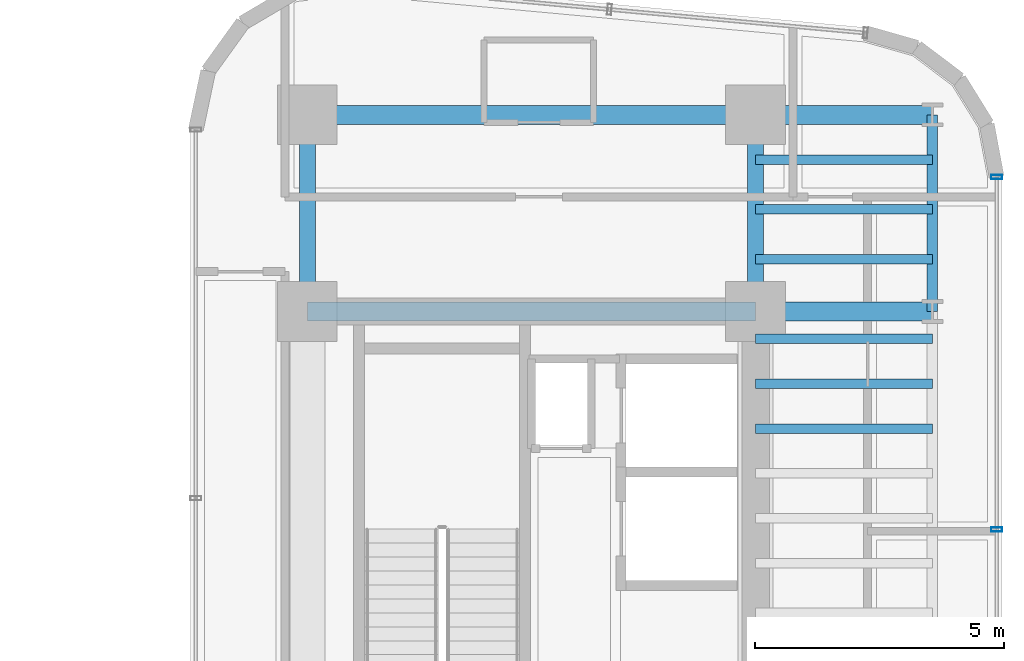
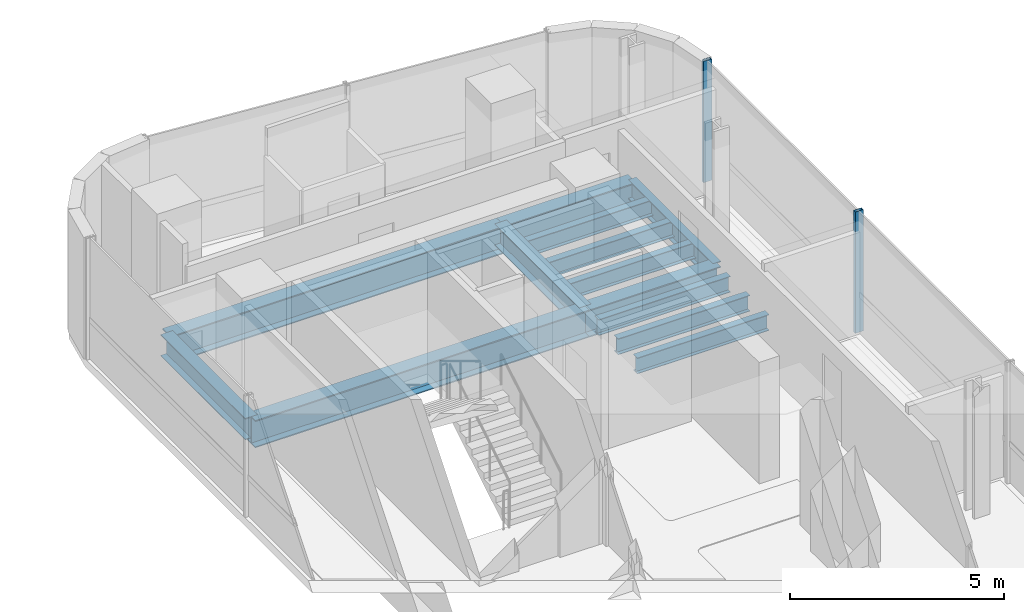
# One storey, part 17 of 33: 13 beams, 2 members, 1 element without a shape of its own.
"""IFC4 building model written with IfcOpenShell, lengths in metres."""

from ifc_helpers import new_model, si_unit, direction, frame, origin, origin_2d, place, context, subcontext, project, spatial, hollow_rectangle, i_section, extrude, source, transform, mapped, material, material_profile, profile_set, type_object, element, aggregate, save


model = new_model("IFC4")

# Units and contexts
model_context = context("Model", 3, precision=1e-05, world=origin(), true_north=direction((0.0, 1.0)))
body_context = subcontext(model_context, "Body", "Model", "MODEL_VIEW")
ifc_project = project(units=[si_unit("LENGTHUNIT", "METRE"), si_unit("AREAUNIT", "SQUARE_METRE"), si_unit("VOLUMEUNIT", "CUBIC_METRE"), si_unit("PLANEANGLEUNIT", "RADIAN"), si_unit("MASSUNIT", "GRAM", prefix="KILO")], contexts=[model_context])

# Site, building, storey
site_placement = place(None, origin())
site = spatial("IfcSite", under=ifc_project, at=site_placement, CompositionType="ELEMENT")
building_placement = place(site_placement, origin())
building = spatial("IfcBuilding", under=site, at=building_placement, Name="Valdorenza Pilgrim Sanctuary Tower", CompositionType="ELEMENT")
storey_placement = place(building_placement, frame((0.0, 0.0, 157.5)))
storey = spatial("IfcBuildingStorey", under=building, at=storey_placement, Name="L40", CompositionType="ELEMENT", Elevation=157.5)

# Beams
ifc_material_1 = material(Name="Steel ASTM A992 Grade 50", Category="steel")
ifc_material_profile_1 = material_profile(ifc_material_1, i_section(OverallWidth=0.323974609375, OverallDepth=0.611083984375, WebThickness=0.0126953125, FlangeThickness=0.01904296875, at=origin_2d()), Name="W24X104")
ifc_profile_set_1 = profile_set([ifc_material_profile_1], Name="Steel ASTM A992 Grade 50")
beam_type_1 = type_object("IfcBeamType", Name="STR-BM-GRD-W24B", PredefinedType="BEAM", material=ifc_profile_set_1)
shared_shape_1 = source(origin(), body_context, "Body", "SweptSolid", [
    extrude(i_section(OverallWidth=0.323974609375, OverallDepth=0.611083984375, WebThickness=0.0126953125, FlangeThickness=0.01904296875, at=origin_2d()), origin(), (0.0, 0.0, 1.0), 3.949951171875),
])
for number, where, z_axis, x_axis, name in (
    (1, (15.85009765625, 9.550048828125, -0.54541015625), (0.0, 1.0, 0.0), (-1.0, 0.0, 0.0), "L40 Core Tie Girder CB-W-N1N2"),
    (2, (24.85009765625, 9.550048828125, -0.54541015625), (0.0, 1.0, 0.0), (-1.0, 0.0, 0.0), "L40 Core Tie Girder CB-E-N1N2"),
):
    element("IfcBeam", number, at=place(storey_placement, frame(where, z_axis=z_axis, x_axis=x_axis)), inside=storey, type_object=beam_type_1, Name=name, PredefinedType="BEAM", context=body_context, shape_type="MappedRepresentation", body=[
        mapped(shared_shape_1, transform((0.0, 0.0, 0.0), x_axis=(1.0, 0.0, 0.0), y_axis=(0.0, 1.0, 0.0), z_axis=(0.0, 0.0, 1.0), scale=1.0)),
    ])
ifc_material_profile_2 = material_profile(ifc_material_1, i_section(OverallWidth=0.214111328125, OverallDepth=0.549072265625, WebThickness=0.0146484375, FlangeThickness=0.023681640625, at=origin_2d()), Name="W21X93")
ifc_profile_set_2 = profile_set([ifc_material_profile_2], Name="Steel ASTM A992 Grade 50")
beam_type_2 = type_object("IfcBeamType", Name="STR-BM-SPN-W21A", PredefinedType="SPANDREL", material=ifc_profile_set_2)
shared_shape_2 = source(origin(), body_context, "Body", "SweptSolid", [
    extrude(i_section(OverallWidth=0.214111328125, OverallDepth=0.549072265625, WebThickness=0.0146484375, FlangeThickness=0.023681640625, at=origin_2d()), origin(), (0.0, 0.0, 1.0), 3.949951171875),
])
beam_placement = place(storey_placement, frame((28.39990234375, 9.550048828125, -0.514404296875), z_axis=(0.0, 1.0, 0.0), x_axis=(-1.0, 0.0, 0.0)))
element("IfcBeam", 3, at=beam_placement, inside=storey, type_object=beam_type_2, Name="L40 Spandrel Beam WB-E-N1N2", PredefinedType="SPANDREL", context=body_context, shape_type="MappedRepresentation", body=[
    mapped(shared_shape_2, transform((0.0, 0.0, 0.0), x_axis=(1.0, 0.0, 0.0), y_axis=(0.0, 1.0, 0.0), z_axis=(0.0, 0.0, 1.0), scale=1.0)),
])
ifc_material_profile_3 = material_profile(ifc_material_1, i_section(OverallWidth=0.382080078125, OverallDepth=0.779052734375, WebThickness=0.01806640625, FlangeThickness=0.030029296875, at=origin_2d()), Name="W30X191")
ifc_profile_set_3 = profile_set([ifc_material_profile_3], Name="Steel ASTM A992 Grade 50")
beam_type_3 = type_object("IfcBeamType", Name="STR-BM-GRD-W30", PredefinedType="BEAM", material=ifc_profile_set_3)
shared_shape_3 = source(origin(), body_context, "Body", "SweptSolid", [
    extrude(i_section(OverallWidth=0.382080078125, OverallDepth=0.779052734375, WebThickness=0.01806640625, FlangeThickness=0.030029296875, at=origin_2d()), origin(), (0.0, 0.0, 1.0), 9.0),
])
for number, where, z_axis, x_axis, name in (
    (4, (15.85009765625, 9.550048828125, -0.62939453125), (1.0, 0.0, 0.0), (0.0, 1.0, 0.0), "L40 Floor Girder CB-XC-N1"),
    (5, (15.85009765625, 13.5, -0.62939453125), (1.0, 0.0, 0.0), (0.0, 1.0, 0.0), "L40 Floor Girder CB-XC-N2"),
):
    element("IfcBeam", number, at=place(storey_placement, frame(where, z_axis=z_axis, x_axis=x_axis)), inside=storey, type_object=beam_type_3, Name=name, PredefinedType="BEAM", context=body_context, shape_type="MappedRepresentation", body=[
        mapped(shared_shape_3, transform((0.0, 0.0, 0.0), x_axis=(1.0, 0.0, 0.0), y_axis=(0.0, 1.0, 0.0), z_axis=(0.0, 0.0, 1.0), scale=1.0)),
    ])
shared_shape_4 = source(origin(), body_context, "Body", "SweptSolid", [
    extrude(i_section(OverallWidth=0.382080078125, OverallDepth=0.779052734375, WebThickness=0.01806640625, FlangeThickness=0.030029296875, at=origin_2d()), origin(), (0.0, 0.0, 1.0), 3.5498046875),
])
for number, where, z_axis, x_axis, name in (
    (6, (24.85009765625, 9.550048828125, -0.62939453125), (1.0, 0.0, 0.0), (0.0, 1.0, 0.0), "L40 Floor Girder WB-XE-N1"),
    (7, (24.85009765625, 13.5, -0.62939453125), (1.0, 0.0, 0.0), (0.0, 1.0, 0.0), "L40 Floor Girder WB-XE-N2"),
):
    element("IfcBeam", number, at=place(storey_placement, frame(where, z_axis=z_axis, x_axis=x_axis)), inside=storey, type_object=beam_type_3, Name=name, PredefinedType="BEAM", context=body_context, shape_type="MappedRepresentation", body=[
        mapped(shared_shape_4, transform((0.0, 0.0, 0.0), x_axis=(1.0, 0.0, 0.0), y_axis=(0.0, 1.0, 0.0), z_axis=(0.0, 0.0, 1.0), scale=1.0)),
    ])
ifc_material_profile_4 = material_profile(ifc_material_1, i_section(OverallWidth=0.19091796875, OverallDepth=0.45703125, WebThickness=0.009033203125, FlangeThickness=0.014404296875, at=origin_2d()), Name="W18X50")
ifc_profile_set_4 = profile_set([ifc_material_profile_4], Name="Steel ASTM A992 Grade 50")
beam_type_4 = type_object("IfcBeamType", Name="STR-BM-JST-W18B", PredefinedType="JOIST", material=ifc_profile_set_4)
shared_shape_5 = source(origin(), body_context, "Body", "SweptSolid", [
    extrude(i_section(OverallWidth=0.19091796875, OverallDepth=0.45703125, WebThickness=0.009033203125, FlangeThickness=0.014404296875, at=origin_2d()), origin(), (0.0, 0.0, 1.0), 3.5498046875),
])
for number, where, z_axis, x_axis, name in (
    (8, (24.85009765625, 7.199951171875, -0.468505859375), (1.0, 0.0, 0.0), (0.0, 1.0, 0.0), "L40 Composite Floor Joist JST-WB-16"),
    (9, (24.85009765625, 8.10009765625, -0.468505859375), (1.0, 0.0, 0.0), (0.0, 1.0, 0.0), "L40 Composite Floor Joist JST-WB-17"),
    (10, (24.85009765625, 9.0, -0.468505859375), (1.0, 0.0, 0.0), (0.0, 1.0, 0.0), "L40 Composite Floor Joist JST-WB-18"),
    (11, (24.85009765625, 10.60009765625, -0.468505859375), (1.0, 0.0, 0.0), (0.0, 1.0, 0.0), "L40 Composite Floor Joist JST-WB-19"),
    (12, (24.85009765625, 11.60009765625, -0.468505859375), (1.0, 0.0, 0.0), (0.0, 1.0, 0.0), "L40 Composite Floor Joist JST-WB-20"),
    (13, (24.85009765625, 12.60009765625, -0.468505859375), (1.0, 0.0, 0.0), (0.0, 1.0, 0.0), "L40 Composite Floor Joist JST-WB-21"),
):
    element("IfcBeam", number, at=place(storey_placement, frame(where, z_axis=z_axis, x_axis=x_axis)), inside=storey, type_object=beam_type_4, Name=name, PredefinedType="JOIST", context=body_context, shape_type="MappedRepresentation", body=[
        mapped(shared_shape_5, transform((0.0, 0.0, 0.0), x_axis=(1.0, 0.0, 0.0), y_axis=(0.0, 1.0, 0.0), z_axis=(0.0, 0.0, 1.0), scale=1.0)),
    ])

# Curtain wall, members
ifc_material_2 = material(Name="Curtain-wall IGU glazing", Category="glass")
curtain_wall_type = type_object("IfcCurtainWallType", Name="CW-SYS-03", PredefinedType="NOTDEFINED", material=ifc_material_2)
curtain_wall_placement = place(storey_placement, origin())
curtain_wall = element("IfcCurtainWall", 14, at=curtain_wall_placement, inside=storey, type_object=curtain_wall_type, Name="L40 Curtain Wall CW-L40-2-11", PredefinedType="NOTDEFINED")
ifc_material_3 = material(Name="Anodised aluminium AW-6060", Category="aluminium")
ifc_material_profile_5 = material_profile(ifc_material_3, hollow_rectangle(XDim=0.0849609375, YDim=0.219970703125, WallThickness=0.0048828125, at=origin_2d()), Name="ALU-M 220x85x5")
ifc_profile_set_5 = profile_set([ifc_material_profile_5], Name="Anodised aluminium AW-6060")
member_type = type_object("IfcMemberType", Name="CW-MUL-03", PredefinedType="MULLION", material=ifc_profile_set_5)
shared_shape_6 = source(origin(), body_context, "Body", "SweptSolid", [
    extrude(hollow_rectangle(XDim=0.0849609375, YDim=0.219970703125, WallThickness=0.0048828125, at=origin_2d()), origin(), (0.0, 0.0, 1.0), 3.4599609375),
])
member_1_placement = place(storey_placement, frame((29.68994140625, 12.253173828125, 0.0), z_axis=(0.0, 0.0, 1.0), x_axis=(0.0, -1.0, 0.0)))
member_1 = element("IfcMember", 15, at=member_1_placement, type_object=member_type, Name="CW-L40-2-11 Mullion 1", PredefinedType="MULLION", context=body_context, shape_type="MappedRepresentation", body=[
    mapped(shared_shape_6, transform((0.0, 0.0, 0.0), x_axis=(1.0, 0.0, 0.0), y_axis=(0.0, 1.0, 0.0), z_axis=(0.0, 0.0, 1.0), scale=1.0)),
])
member_2_placement = place(storey_placement, frame((29.68994140625, 5.17236328125, 0.0), z_axis=(0.0, 0.0, 1.0), x_axis=(0.0, -1.0, 0.0)))
member_2 = element("IfcMember", 16, at=member_2_placement, type_object=member_type, Name="CW-L40-2-11 Mullion 2", PredefinedType="MULLION", context=body_context, shape_type="MappedRepresentation", body=[
    mapped(shared_shape_6, transform((0.0, 0.0, 0.0), x_axis=(1.0, 0.0, 0.0), y_axis=(0.0, 1.0, 0.0), z_axis=(0.0, 0.0, 1.0), scale=1.0)),
])
aggregate(curtain_wall, [member_1, member_2])

save(model, "model.ifc")
